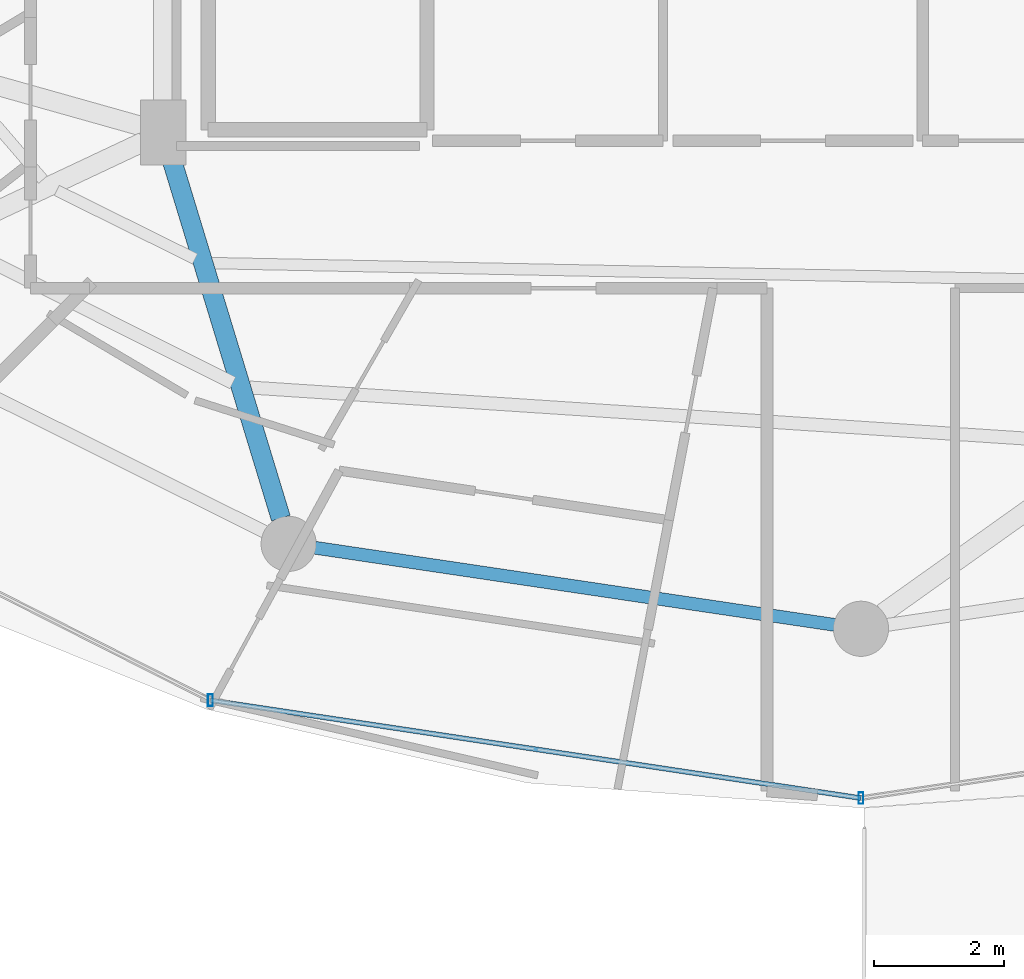
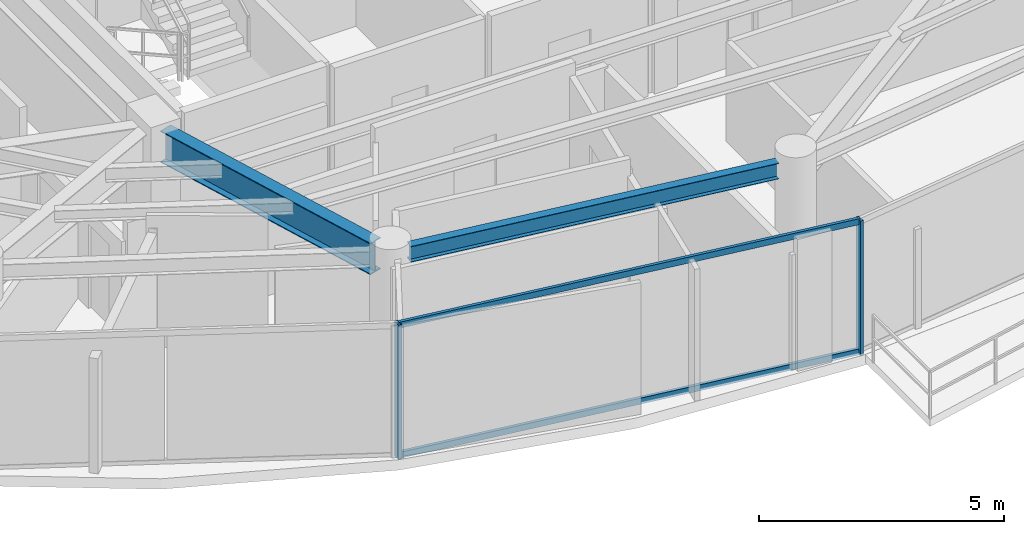
# One storey, part 4 of 29: 4 members, 2 beams, 1 element without a shape of its own.
"""IFC4 building model written with IfcOpenShell, lengths in metres."""

import ifcopenshell
import ifcopenshell.guid

model = None  # the IFC model being written
_history = None  # IfcOwnerHistory: only IFC2X3 demands one
_inside = {}  # id of a spatial element -> (the spatial element, [elements in it])
_under = {}  # id of a project, library or spatial element -> (it, [spatial elements below it])
_declared = {}  # id of a project -> (the project, [libraries it declares])
_typed = {}  # id of a type object -> (the type object, [elements of that type])
_made_of = {}  # id of a material, layer set ... -> (it, [elements and type objects made of it])


def new_model(schema):
    """Start an empty IFC model of exactly this schema.

    Asked for "IFC4X3", IfcOpenShell would pick the latest addendum, in which some entities
    have other attributes; the version numbers below select the first issue.
    IFC2X3 requires an IfcOwnerHistory on every rooted entity: one is made here for all.
    """
    global model, _history
    if schema == "IFC4X3":
        model = ifcopenshell.file(schema_version=(4, 3, 0, 0))
    else:
        model = ifcopenshell.file(schema=schema)
    _inside.clear()
    _under.clear()
    _declared.clear()
    _typed.clear()
    _made_of.clear()
    _history = None
    if model.schema == "IFC2X3":
        org = make("IfcOrganization", Name="unknown")
        user = make(
            "IfcPersonAndOrganization",
            ThePerson=make("IfcPerson", FamilyName="unknown"),
            TheOrganization=org,
        )
        app = make(
            "IfcApplication",
            ApplicationDeveloper=org,
            Version="unknown",
            ApplicationFullName="unknown",
            ApplicationIdentifier="unknown",
        )
        _history = make(
            "IfcOwnerHistory",
            OwningUser=user,
            OwningApplication=app,
            ChangeAction="ADDED",
            CreationDate=0,
        )
    return model


def make(cls, **values):
    """One entity of the class cls with the attributes given. An attribute that is None is left unset."""
    return model.create_entity(
        cls, **{name: value for name, value in values.items() if value is not None}
    )


def rooted(cls, **values):
    """An entity with a GlobalId (a new one), such as an element, a storey or a relation."""
    return make(cls, GlobalId=ifcopenshell.guid.new(), OwnerHistory=_history, **values)


def si_unit(unit_type, name, prefix=None):
    """IfcSIUnit, for example si_unit("LENGTHUNIT", "METRE", prefix="MILLI")."""
    return make("IfcSIUnit", UnitType=unit_type, Prefix=prefix, Name=name)


def assignment(units):
    """IfcUnitAssignment: the units of a project."""
    return None if units is None else make("IfcUnitAssignment", Units=units)


def point(xyz):
    """IfcCartesianPoint."""
    return None if xyz is None else make("IfcCartesianPoint", Coordinates=xyz)


def direction(xyz):
    """IfcDirection."""
    return None if xyz is None else make("IfcDirection", DirectionRatios=xyz)


def frame(location, z_axis=None, x_axis=None):
    """IfcAxis2Placement3D, a coordinate frame: its origin and axes. An axis left out is left unset."""
    return make(
        "IfcAxis2Placement3D",
        Location=point(location),
        Axis=direction(z_axis),
        RefDirection=direction(x_axis),
    )


def frame_2d(location, x_axis=None):
    """IfcAxis2Placement2D, a coordinate frame in the plane: its origin and x axis."""
    return make(
        "IfcAxis2Placement2D", Location=point(location), RefDirection=direction(x_axis)
    )


def origin():
    """The frame at (0, 0, 0) with its axes left unset."""
    return frame((0.0, 0.0, 0.0))


def origin_2d():
    """The frame at (0, 0) in the plane with its x axis left unset."""
    return frame_2d((0.0, 0.0))


def place(relative_to, where):
    """IfcLocalPlacement: puts the frame where relative to a parent placement (None: the world)."""
    return make(
        "IfcLocalPlacement", PlacementRelTo=relative_to, RelativePlacement=where
    )


def context(
    kind, dimensions, precision=None, world=None, true_north=None, identifier=None
):
    """IfcGeometricRepresentationContext, for example the 3D "Model" context."""
    return make(
        "IfcGeometricRepresentationContext",
        ContextIdentifier=identifier,
        ContextType=kind,
        CoordinateSpaceDimension=dimensions,
        Precision=precision,
        WorldCoordinateSystem=world,
        TrueNorth=true_north,
    )


def subcontext(parent, identifier, kind, view, scale=None):
    """IfcGeometricRepresentationSubContext, for example "Body" below "Model"."""
    return make(
        "IfcGeometricRepresentationSubContext",
        ContextIdentifier=identifier,
        ContextType=kind,
        ParentContext=parent,
        TargetScale=scale,
        TargetView=view,
    )


def project(units=None, contexts=None):
    """IfcProject with its units and contexts."""
    return rooted(
        "IfcProject",
        Name="project",
        RepresentationContexts=contexts,
        UnitsInContext=assignment(units),
    )


def spatial(cls, under=None, at=None, **own):
    """A site, building, storey or space (cls), placed at a placement, below another one or the project."""
    s = rooted(cls, ObjectPlacement=at, **own)
    if under is not None:
        _under.setdefault(under.id(), (under, []))[1].append(s)
    return s


def profile(cls, at=None, kind="AREA", **sizes):
    """A parametric profile (cls). Its sizes go by their IFC names, for example OverallWidth=200.0."""
    return make(cls, ProfileType=kind, Position=at, **sizes)


def hollow_rectangle(**sizes):
    """IfcRectangleHollowProfileDef."""
    return profile("IfcRectangleHollowProfileDef", **sizes)


def i_section(**sizes):
    """IfcIShapeProfileDef."""
    return profile("IfcIShapeProfileDef", **sizes)


def extrude(swept, where, along, depth):
    """IfcExtrudedAreaSolid: the profile swept, set in the frame where, extruded along a direction by depth."""
    return make(
        "IfcExtrudedAreaSolid",
        SweptArea=swept,
        Position=where,
        ExtrudedDirection=direction(along),
        Depth=depth,
    )


def shape(context_of_items, identifier, shape_type, items):
    """IfcShapeRepresentation: the items that make up one representation, for example the "Body"."""
    return make(
        "IfcShapeRepresentation",
        ContextOfItems=context_of_items,
        RepresentationIdentifier=identifier,
        RepresentationType=shape_type,
        Items=items,
    )


def material(Name=None, Category=None):
    """IfcMaterial."""
    return make("IfcMaterial", Name=Name, Category=Category)


def material_profile(
    of_material, cross_section, Name=None, Category=None, Priority=None
):
    """IfcMaterialProfile: a cross section and its material."""
    return make(
        "IfcMaterialProfile",
        Name=Name,
        Material=of_material,
        Profile=cross_section,
        Priority=Priority,
        Category=Category,
    )


def profile_set(profiles, Name=None, composite=None):
    """IfcMaterialProfileSet."""
    return make(
        "IfcMaterialProfileSet",
        Name=Name,
        MaterialProfiles=profiles,
        CompositeProfile=composite,
    )


def made_of(thing, what):
    """Note that an element or type object is made of a material, layer set ...; save() writes the relation."""
    if what is not None:
        _made_of.setdefault(what.id(), (what, []))[1].append(thing)
    return thing


def type_object(cls, material=None, **own):
    """A type object (cls), such as IfcWallType, which elements share."""
    return made_of(rooted(cls, **own), material)


def element(
    cls,
    number,
    at=None,
    inside=None,
    cuts=None,
    type_object=None,
    material=None,
    context=None,
    identifier="Body",
    shape_type=None,
    held_by="IfcProductDefinitionShape",
    body=None,
    shapes=None,
    **own,
):
    """One element of the class cls, such as IfcWall. Its Tag is "e" and its number.

    at: its placement. inside: the storey or other place that contains it. cuts: it is an
    opening in that element (IfcRelVoidsElement). A single representation is given by context,
    identifier, shape_type and body (its items); several are given by shapes. held_by: the class
    of the entity that holds the representations. save() writes the other relations.
    """
    e = rooted(cls, Tag="e%d" % number, ObjectPlacement=at, **own)
    if body is not None:
        shapes = [shape(context, identifier, shape_type, body)]
    if shapes is not None:
        e.Representation = make(held_by, Representations=shapes)
    if inside is not None:
        _inside.setdefault(inside.id(), (inside, []))[1].append(e)
    if cuts is not None:
        rooted(
            "IfcRelVoidsElement", RelatingBuildingElement=cuts, RelatedOpeningElement=e
        )
    if type_object is not None:
        _typed.setdefault(type_object.id(), (type_object, []))[1].append(e)
    return made_of(e, material)


def aggregate(whole, parts):
    """IfcRelAggregates: a whole, such as a stair, and the parts it consists of."""
    return rooted("IfcRelAggregates", RelatingObject=whole, RelatedObjects=parts)


def save(model, path):
    """Write the relations noted so far, then the file.

    IfcRelAggregates (storeys below a building ...), IfcRelContainedInSpatialStructure (elements
    in a storey), IfcRelDefinesByType, IfcRelAssociatesMaterial and IfcRelDeclares: one each for
    every whole, place, type object, material and project.
    """
    for whole, parts in _under.values():
        aggregate(whole, parts)
    for where, things in _inside.values():
        rooted(
            "IfcRelContainedInSpatialStructure",
            RelatedElements=things,
            RelatingStructure=where,
        )
    for kind, things in _typed.values():
        rooted("IfcRelDefinesByType", RelatedObjects=things, RelatingType=kind)
    for what, things in _made_of.values():
        rooted("IfcRelAssociatesMaterial", RelatedObjects=things, RelatingMaterial=what)
    for by, libraries in _declared.values():
        rooted("IfcRelDeclares", RelatingContext=by, RelatedDefinitions=libraries)
    model.write(path)


model = new_model("IFC4")

# Units and contexts
model_context = context("Model", 3, precision=1e-05, world=origin(), true_north=direction((0.0, 1.0)))
body_context = subcontext(model_context, "Body", "Model", "MODEL_VIEW")
ifc_project = project(units=[si_unit("LENGTHUNIT", "METRE"), si_unit("AREAUNIT", "SQUARE_METRE"), si_unit("VOLUMEUNIT", "CUBIC_METRE"), si_unit("PLANEANGLEUNIT", "RADIAN"), si_unit("MASSUNIT", "GRAM", prefix="KILO")], contexts=[model_context])

# Site, building, storey
site_placement = place(None, origin())
site = spatial("IfcSite", under=ifc_project, at=site_placement, CompositionType="ELEMENT")
building_placement = place(site_placement, origin())
building = spatial("IfcBuilding", under=site, at=building_placement, Name="Vorneva Point Tower", CompositionType="ELEMENT")
storey_placement = place(building_placement, frame((0.0, 0.0, 273.300048828125)))
storey = spatial("IfcBuildingStorey", under=building, at=storey_placement, Name="L74", CompositionType="ELEMENT", Elevation=273.300048828125)

# Beams
ifc_material_1 = material(Name="Steel S355", Category="steel")
ifc_material_profile_1 = material_profile(ifc_material_1, i_section(OverallWidth=0.300048828125, OverallDepth=0.7880859375, WebThickness=0.014404296875, FlangeThickness=0.02197265625, at=origin_2d()), Name="80Sh1")
ifc_profile_set_1 = profile_set([ifc_material_profile_1], Name="Steel S355")
beam_type_1 = type_object("IfcBeamType", Name="BM-GRD-80Sh1", PredefinedType="USERDEFINED", material=ifc_profile_set_1)
beam_1_placement = place(storey_placement, frame((29.058837890625, 10.50439453125, 2.89599609375), z_axis=(-0.291032624293, 0.956713129207, 0.0), x_axis=(-0.956713129207, -0.291032624293, 0.0)))
element("IfcBeam", 1, at=beam_1_placement, inside=storey, type_object=beam_type_1, Name="L74 Radial Primary Girder 12", ObjectType="GIRDER", PredefinedType="USERDEFINED", context=body_context, shape_type="SweptSolid", body=[
    extrude(i_section(OverallWidth=0.300048828125, OverallDepth=0.7880859375, WebThickness=0.014404296875, FlangeThickness=0.02197265625, at=origin_2d()), origin(), (0.0, 0.0, 1.0), 5.874755859375),
])
ifc_material_profile_2 = material_profile(ifc_material_1, i_section(OverallWidth=0.198974609375, OverallDepth=0.39599609375, WebThickness=0.007080078125, FlangeThickness=0.010986328125, at=origin_2d()), Name="40B1")
ifc_profile_set_2 = profile_set([ifc_material_profile_2], Name="Steel S355")
beam_type_2 = type_object("IfcBeamType", Name="BM-SPN-40B1", PredefinedType="SPANDREL", material=ifc_profile_set_2)
beam_2_placement = place(storey_placement, frame((29.584716796875, 10.049072265625, 3.092041015625), z_axis=(0.989161657331, -0.146830567886, 0.0), x_axis=(0.146830567886, 0.989161657331, 0.0)))
element("IfcBeam", 2, at=beam_2_placement, inside=storey, type_object=beam_type_2, Name="L74 Perimeter Spandrel Ring Beam 12", PredefinedType="SPANDREL", context=body_context, shape_type="SweptSolid", body=[
    extrude(i_section(OverallWidth=0.198974609375, OverallDepth=0.39599609375, WebThickness=0.007080078125, FlangeThickness=0.010986328125, at=origin_2d()), origin(), (0.0, 0.0, 1.0), 8.097412109375),
])

# Curtain wall, members
ifc_material_2 = material(Name="Pale anodised aluminium", Category="aluminium")
curtain_wall_type = type_object("IfcCurtainWallType", Name="CW-RES-SYS", PredefinedType="NOTDEFINED", material=ifc_material_2)
curtain_wall_placement = place(storey_placement, origin())
curtain_wall = element("IfcCurtainWall", 3, at=curtain_wall_placement, inside=storey, type_object=curtain_wall_type, Name="L74 Unitised Curtain Wall CW-L74-R04", PredefinedType="NOTDEFINED")
ifc_material_profile_3 = material_profile(ifc_material_2, hollow_rectangle(XDim=0.074951171875, YDim=0.179931640625, WallThickness=0.00390625, at=origin_2d()), Name="AL-MUL 180x75x4")
ifc_profile_set_3 = profile_set([ifc_material_profile_3], Name="Pale anodised aluminium")
member_type_1 = type_object("IfcMemberType", Name="CW-MUL-180", PredefinedType="MULLION", material=ifc_profile_set_3)
member_1_placement = place(storey_placement, frame((27.9736328125, 7.697998046875, -0.0400390625), z_axis=(0.0, 0.0, 1.0), x_axis=(1.0, 0.0, 0.0)))
member_1 = element("IfcMember", 4, at=member_1_placement, type_object=member_type_1, Name="CW-L74-R04 Mullion 02", PredefinedType="MULLION", context=body_context, shape_type="SweptSolid", body=[
    extrude(hollow_rectangle(XDim=0.074951171875, YDim=0.179931640625, WallThickness=0.00390625, at=origin_2d()), origin(), (0.0, 0.0, 1.0), 3.360107421875),
])
member_2_placement = place(storey_placement, frame((38.0, 6.18994140625, -0.0400390625), z_axis=(0.0, 0.0, 1.0), x_axis=(1.0, 0.0, 0.0)))
member_2 = element("IfcMember", 5, at=member_2_placement, type_object=member_type_1, Name="CW-L74-R04 Mullion 03", PredefinedType="MULLION", context=body_context, shape_type="SweptSolid", body=[
    extrude(hollow_rectangle(XDim=0.074951171875, YDim=0.179931640625, WallThickness=0.00390625, at=origin_2d()), origin(), (0.0, 0.0, 1.0), 3.360107421875),
])
ifc_material_profile_4 = material_profile(ifc_material_2, hollow_rectangle(XDim=0.074951171875, YDim=0.14990234375, WallThickness=0.00390625, at=origin_2d()), Name="AL-TRN 150x75x4")
ifc_profile_set_4 = profile_set([ifc_material_profile_4], Name="Pale anodised aluminium")
member_type_2 = type_object("IfcMemberType", Name="CW-TRN-150", PredefinedType="USERDEFINED", material=ifc_profile_set_4)
member_3_placement = place(storey_placement, frame((27.9736328125, 7.697998046875, 0.02001953125), z_axis=(0.988876929856, -0.148736066907, 0.0), x_axis=(0.148736066907, 0.988876929856, 0.0)))
member_3 = element("IfcMember", 6, at=member_3_placement, type_object=member_type_2, Name="CW-L74-R04 Transom 02.1", ObjectType="TRANSOM", PredefinedType="USERDEFINED", context=body_context, shape_type="SweptSolid", body=[
    extrude(hollow_rectangle(XDim=0.074951171875, YDim=0.14990234375, WallThickness=0.00390625, at=origin_2d()), origin(), (0.0, 0.0, 1.0), 10.13916015625),
])
member_4_placement = place(storey_placement, frame((27.9736328125, 7.697998046875, 3.27001953125), z_axis=(0.988876929856, -0.148736066907, 0.0), x_axis=(0.148736066907, 0.988876929856, 0.0)))
member_4 = element("IfcMember", 7, at=member_4_placement, type_object=member_type_2, Name="CW-L74-R04 Transom 02.2", ObjectType="TRANSOM", PredefinedType="USERDEFINED", context=body_context, shape_type="SweptSolid", body=[
    extrude(hollow_rectangle(XDim=0.074951171875, YDim=0.14990234375, WallThickness=0.00390625, at=origin_2d()), origin(), (0.0, 0.0, 1.0), 10.13916015625),
])
aggregate(curtain_wall, [member_1, member_2, member_3, member_4])

save(model, "model.ifc")
